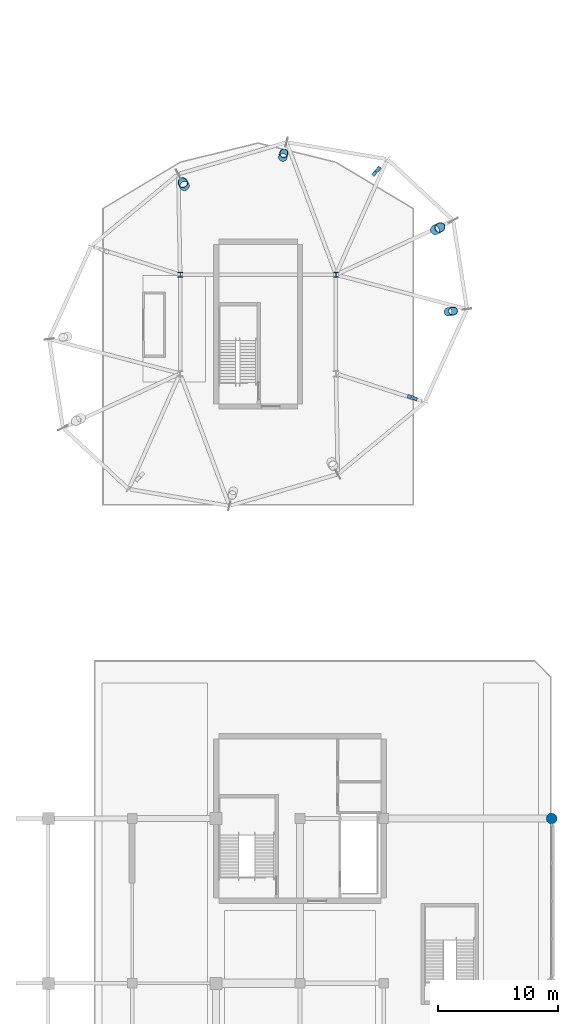
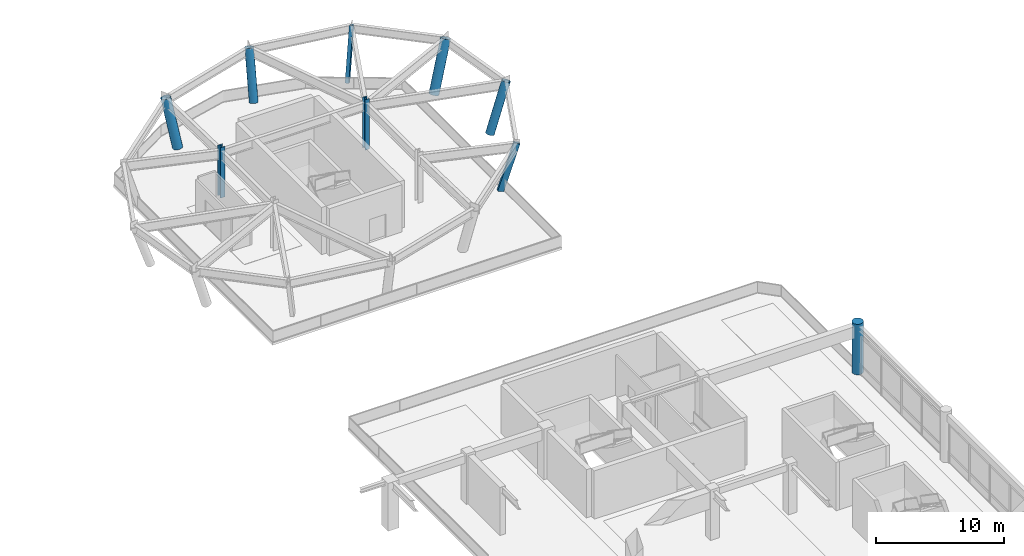
# One storey, part 18 of 91: 9 columns.
"""IFC4 building model written with IfcOpenShell, lengths in metres."""

import ifcopenshell
import ifcopenshell.guid

model = None  # the IFC model being written
_history = None  # IfcOwnerHistory: only IFC2X3 demands one
_inside = {}  # id of a spatial element -> (the spatial element, [elements in it])
_under = {}  # id of a project, library or spatial element -> (it, [spatial elements below it])
_declared = {}  # id of a project -> (the project, [libraries it declares])
_typed = {}  # id of a type object -> (the type object, [elements of that type])
_made_of = {}  # id of a material, layer set ... -> (it, [elements and type objects made of it])


def new_model(schema):
    """Start an empty IFC model of exactly this schema.

    Asked for "IFC4X3", IfcOpenShell would pick the latest addendum, in which some entities
    have other attributes; the version numbers below select the first issue.
    IFC2X3 requires an IfcOwnerHistory on every rooted entity: one is made here for all.
    """
    global model, _history
    if schema == "IFC4X3":
        model = ifcopenshell.file(schema_version=(4, 3, 0, 0))
    else:
        model = ifcopenshell.file(schema=schema)
    _inside.clear()
    _under.clear()
    _declared.clear()
    _typed.clear()
    _made_of.clear()
    _history = None
    if model.schema == "IFC2X3":
        org = make("IfcOrganization", Name="unknown")
        user = make(
            "IfcPersonAndOrganization",
            ThePerson=make("IfcPerson", FamilyName="unknown"),
            TheOrganization=org,
        )
        app = make(
            "IfcApplication",
            ApplicationDeveloper=org,
            Version="unknown",
            ApplicationFullName="unknown",
            ApplicationIdentifier="unknown",
        )
        _history = make(
            "IfcOwnerHistory",
            OwningUser=user,
            OwningApplication=app,
            ChangeAction="ADDED",
            CreationDate=0,
        )
    return model


def make(cls, **values):
    """One entity of the class cls with the attributes given. An attribute that is None is left unset."""
    return model.create_entity(
        cls, **{name: value for name, value in values.items() if value is not None}
    )


def rooted(cls, **values):
    """An entity with a GlobalId (a new one), such as an element, a storey or a relation."""
    return make(cls, GlobalId=ifcopenshell.guid.new(), OwnerHistory=_history, **values)


def si_unit(unit_type, name, prefix=None):
    """IfcSIUnit, for example si_unit("LENGTHUNIT", "METRE", prefix="MILLI")."""
    return make("IfcSIUnit", UnitType=unit_type, Prefix=prefix, Name=name)


def assignment(units):
    """IfcUnitAssignment: the units of a project."""
    return None if units is None else make("IfcUnitAssignment", Units=units)


def point(xyz):
    """IfcCartesianPoint."""
    return None if xyz is None else make("IfcCartesianPoint", Coordinates=xyz)


def direction(xyz):
    """IfcDirection."""
    return None if xyz is None else make("IfcDirection", DirectionRatios=xyz)


def frame(location, z_axis=None, x_axis=None):
    """IfcAxis2Placement3D, a coordinate frame: its origin and axes. An axis left out is left unset."""
    return make(
        "IfcAxis2Placement3D",
        Location=point(location),
        Axis=direction(z_axis),
        RefDirection=direction(x_axis),
    )


def frame_2d(location, x_axis=None):
    """IfcAxis2Placement2D, a coordinate frame in the plane: its origin and x axis."""
    return make(
        "IfcAxis2Placement2D", Location=point(location), RefDirection=direction(x_axis)
    )


def origin():
    """The frame at (0, 0, 0) with its axes left unset."""
    return frame((0.0, 0.0, 0.0))


def origin_2d():
    """The frame at (0, 0) in the plane with its x axis left unset."""
    return frame_2d((0.0, 0.0))


def place(relative_to, where):
    """IfcLocalPlacement: puts the frame where relative to a parent placement (None: the world)."""
    return make(
        "IfcLocalPlacement", PlacementRelTo=relative_to, RelativePlacement=where
    )


def context(
    kind, dimensions, precision=None, world=None, true_north=None, identifier=None
):
    """IfcGeometricRepresentationContext, for example the 3D "Model" context."""
    return make(
        "IfcGeometricRepresentationContext",
        ContextIdentifier=identifier,
        ContextType=kind,
        CoordinateSpaceDimension=dimensions,
        Precision=precision,
        WorldCoordinateSystem=world,
        TrueNorth=true_north,
    )


def subcontext(parent, identifier, kind, view, scale=None):
    """IfcGeometricRepresentationSubContext, for example "Body" below "Model"."""
    return make(
        "IfcGeometricRepresentationSubContext",
        ContextIdentifier=identifier,
        ContextType=kind,
        ParentContext=parent,
        TargetScale=scale,
        TargetView=view,
    )


def project(units=None, contexts=None):
    """IfcProject with its units and contexts."""
    return rooted(
        "IfcProject",
        Name="project",
        RepresentationContexts=contexts,
        UnitsInContext=assignment(units),
    )


def spatial(cls, under=None, at=None, **own):
    """A site, building, storey or space (cls), placed at a placement, below another one or the project."""
    s = rooted(cls, ObjectPlacement=at, **own)
    if under is not None:
        _under.setdefault(under.id(), (under, []))[1].append(s)
    return s


def profile(cls, at=None, kind="AREA", **sizes):
    """A parametric profile (cls). Its sizes go by their IFC names, for example OverallWidth=200.0."""
    return make(cls, ProfileType=kind, Position=at, **sizes)


def hollow_rectangle(**sizes):
    """IfcRectangleHollowProfileDef."""
    return profile("IfcRectangleHollowProfileDef", **sizes)


def circle(**sizes):
    """IfcCircleProfileDef."""
    return profile("IfcCircleProfileDef", **sizes)


def hollow_circle(**sizes):
    """IfcCircleHollowProfileDef."""
    return profile("IfcCircleHollowProfileDef", **sizes)


def i_section(**sizes):
    """IfcIShapeProfileDef."""
    return profile("IfcIShapeProfileDef", **sizes)


def extrude(swept, where, along, depth):
    """IfcExtrudedAreaSolid: the profile swept, set in the frame where, extruded along a direction by depth."""
    return make(
        "IfcExtrudedAreaSolid",
        SweptArea=swept,
        Position=where,
        ExtrudedDirection=direction(along),
        Depth=depth,
    )


def shape(context_of_items, identifier, shape_type, items):
    """IfcShapeRepresentation: the items that make up one representation, for example the "Body"."""
    return make(
        "IfcShapeRepresentation",
        ContextOfItems=context_of_items,
        RepresentationIdentifier=identifier,
        RepresentationType=shape_type,
        Items=items,
    )


def material(Name=None, Category=None):
    """IfcMaterial."""
    return make("IfcMaterial", Name=Name, Category=Category)


def material_profile(
    of_material, cross_section, Name=None, Category=None, Priority=None
):
    """IfcMaterialProfile: a cross section and its material."""
    return make(
        "IfcMaterialProfile",
        Name=Name,
        Material=of_material,
        Profile=cross_section,
        Priority=Priority,
        Category=Category,
    )


def profile_set(profiles, Name=None, composite=None):
    """IfcMaterialProfileSet."""
    return make(
        "IfcMaterialProfileSet",
        Name=Name,
        MaterialProfiles=profiles,
        CompositeProfile=composite,
    )


def made_of(thing, what):
    """Note that an element or type object is made of a material, layer set ...; save() writes the relation."""
    if what is not None:
        _made_of.setdefault(what.id(), (what, []))[1].append(thing)
    return thing


def type_object(cls, material=None, **own):
    """A type object (cls), such as IfcWallType, which elements share."""
    return made_of(rooted(cls, **own), material)


def element(
    cls,
    number,
    at=None,
    inside=None,
    cuts=None,
    type_object=None,
    material=None,
    context=None,
    identifier="Body",
    shape_type=None,
    held_by="IfcProductDefinitionShape",
    body=None,
    shapes=None,
    **own,
):
    """One element of the class cls, such as IfcWall. Its Tag is "e" and its number.

    at: its placement. inside: the storey or other place that contains it. cuts: it is an
    opening in that element (IfcRelVoidsElement). A single representation is given by context,
    identifier, shape_type and body (its items); several are given by shapes. held_by: the class
    of the entity that holds the representations. save() writes the other relations.
    """
    e = rooted(cls, Tag="e%d" % number, ObjectPlacement=at, **own)
    if body is not None:
        shapes = [shape(context, identifier, shape_type, body)]
    if shapes is not None:
        e.Representation = make(held_by, Representations=shapes)
    if inside is not None:
        _inside.setdefault(inside.id(), (inside, []))[1].append(e)
    if cuts is not None:
        rooted(
            "IfcRelVoidsElement", RelatingBuildingElement=cuts, RelatedOpeningElement=e
        )
    if type_object is not None:
        _typed.setdefault(type_object.id(), (type_object, []))[1].append(e)
    return made_of(e, material)


def aggregate(whole, parts):
    """IfcRelAggregates: a whole, such as a stair, and the parts it consists of."""
    return rooted("IfcRelAggregates", RelatingObject=whole, RelatedObjects=parts)


def save(model, path):
    """Write the relations noted so far, then the file.

    IfcRelAggregates (storeys below a building ...), IfcRelContainedInSpatialStructure (elements
    in a storey), IfcRelDefinesByType, IfcRelAssociatesMaterial and IfcRelDeclares: one each for
    every whole, place, type object, material and project.
    """
    for whole, parts in _under.values():
        aggregate(whole, parts)
    for where, things in _inside.values():
        rooted(
            "IfcRelContainedInSpatialStructure",
            RelatedElements=things,
            RelatingStructure=where,
        )
    for kind, things in _typed.values():
        rooted("IfcRelDefinesByType", RelatedObjects=things, RelatingType=kind)
    for what, things in _made_of.values():
        rooted("IfcRelAssociatesMaterial", RelatedObjects=things, RelatingMaterial=what)
    for by, libraries in _declared.values():
        rooted("IfcRelDeclares", RelatingContext=by, RelatedDefinitions=libraries)
    model.write(path)


model = new_model("IFC4")

# Units and contexts
model_context = context("Model", 3, precision=1e-05, world=origin(), true_north=direction((0.0, 1.0)))
body_context = subcontext(model_context, "Body", "Model", "MODEL_VIEW")
ifc_project = project(units=[si_unit("LENGTHUNIT", "METRE"), si_unit("AREAUNIT", "SQUARE_METRE"), si_unit("VOLUMEUNIT", "CUBIC_METRE"), si_unit("PLANEANGLEUNIT", "RADIAN"), si_unit("MASSUNIT", "GRAM", prefix="KILO")], contexts=[model_context])

# Site, building, storey
site_placement = place(None, origin())
site = spatial("IfcSite", under=ifc_project, at=site_placement, CompositionType="ELEMENT")
building_placement = place(site_placement, origin())
building = spatial("IfcBuilding", under=site, at=building_placement, Name="Linyun Crest Stadium", CompositionType="ELEMENT")
storey_placement = place(building_placement, frame((0.0, 0.0, 11.39990234375)))
storey = spatial("IfcBuildingStorey", under=building, at=storey_placement, Name="L03", CompositionType="ELEMENT", Elevation=11.39990234375)

# Columns
ifc_material_1 = material(Name="Concrete C50", Category="concrete")
ifc_material_profile_1 = material_profile(ifc_material_1, circle(Radius=0.449951171875, at=origin_2d()), Name="RC D900")
ifc_profile_set_1 = profile_set([ifc_material_profile_1], Name="Concrete C50")
column_type_1 = type_object("IfcColumnType", Name="C08", PredefinedType="COLUMN", material=ifc_profile_set_1)
column_1_placement = place(storey_placement, frame((98.0, 43.375, 0.0), z_axis=(0.0, 0.0, 1.0), x_axis=(1.0, 0.0, 0.0)))
element("IfcColumn", 1, at=column_1_placement, inside=storey, type_object=column_type_1, Name="Column C08 L03 567", PredefinedType="COLUMN", context=body_context, shape_type="SweptSolid", body=[
    extrude(circle(Radius=0.449951171875, at=origin_2d()), origin(), (0.0, 0.0, 1.0), 4.798095703125),
])
ifc_material_2 = material(Name="Steel Q355C", Category="steel")
ifc_material_profile_2 = material_profile(ifc_material_2, i_section(OverallWidth=0.406982421875, OverallDepth=0.427978515625, WebThickness=0.02001953125, FlangeThickness=0.034912109375, at=origin_2d()), Name="HW 428x407")
ifc_profile_set_2 = profile_set([ifc_material_profile_2], Name="Steel Q355C")
column_type_2 = type_object("IfcColumnType", Name="SC03", PredefinedType="COLUMN", material=ifc_profile_set_2)
for number, where, z_axis, x_axis, name in (
    (2, (67.0, 88.75, 0.0), (0.0, 0.0, 1.0), (1.0, 0.0, 0.0), "Column SC03 L03 839"),
    (3, (80.0, 88.75, 0.0), (0.0, 0.0, 1.0), (1.0, 0.0, 0.0), "Column SC03 L03 846"),
):
    element("IfcColumn", number, at=place(storey_placement, frame(where, z_axis=z_axis, x_axis=x_axis)), inside=storey, type_object=column_type_2, Name=name, PredefinedType="COLUMN", context=body_context, shape_type="SweptSolid", body=[
        extrude(i_section(OverallWidth=0.406982421875, OverallDepth=0.427978515625, WebThickness=0.02001953125, FlangeThickness=0.034912109375, at=origin_2d()), origin(), (0.0, 0.0, 1.0), 4.798095703125),
    ])
ifc_material_3 = material(Name="Steel Q420C", Category="steel")
ifc_material_profile_3 = material_profile(ifc_material_3, hollow_circle(Radius=0.35546875, WallThickness=0.031982421875, at=origin_2d()), Name="CHS 711x32")
ifc_profile_set_3 = profile_set([ifc_material_profile_3], Name="Steel Q420C")
column_type_3 = type_object("IfcColumnType", Name="VL01", PredefinedType="PILASTER", material=ifc_profile_set_3)
column_2_placement = place(storey_placement, frame((75.568115234375, 98.5458984375, 0.002197265625), z_axis=(0.069723083937, 0.274179869243, 0.959147585551), x_axis=(-0.969154739028, 0.246453021526, 0.0)))
element("IfcColumn", 4, at=column_2_placement, inside=storey, type_object=column_type_3, Name="Inclined V-leg pier VL01 45", PredefinedType="PILASTER", context=body_context, shape_type="SweptSolid", body=[
    extrude(hollow_circle(Radius=0.35546875, WallThickness=0.031982421875, at=origin_2d()), origin(), (0.0, 0.0, 1.0), 4.55908203125),
])
column_3_placement = place(storey_placement, frame((89.35595703125, 85.654052734375, 0.002197265625), z_axis=(0.340349167109, 0.047048267218, 0.939121347324), x_axis=(-0.136933157693, 0.990580289691, 0.0)))
element("IfcColumn", 5, at=column_3_placement, inside=storey, type_object=column_type_3, Name="Inclined V-leg pier VL01 72", PredefinedType="PILASTER", context=body_context, shape_type="SweptSolid", body=[
    extrude(hollow_circle(Radius=0.35546875, WallThickness=0.031982421875, at=origin_2d()), origin(), (0.0, 0.0, 1.0), 4.634033203125),
])
ifc_material_4 = material(Name="Steel Q420C", Category="steel")
ifc_material_profile_4 = material_profile(ifc_material_4, hollow_circle(Radius=0.406494140625, WallThickness=0.035888671875, at=origin_2d()), Name="CHS 813x36")
ifc_profile_set_4 = profile_set([ifc_material_profile_4], Name="Steel Q420C")
column_type_4 = type_object("IfcColumnType", Name="VL02", PredefinedType="PILASTER", material=ifc_profile_set_4)
column_4_placement = place(storey_placement, frame((88.26611328125, 92.47607421875, 0.002197265625), z_axis=(0.325654823797, 0.173035286714, 0.929520158625), x_axis=(-0.469221126484, 0.883080706652, 0.0)))
element("IfcColumn", 6, at=column_4_placement, inside=storey, type_object=column_type_4, Name="Inclined V-leg pier VL02 39", PredefinedType="PILASTER", context=body_context, shape_type="SweptSolid", body=[
    extrude(hollow_circle(Radius=0.406494140625, WallThickness=0.035888671875, at=origin_2d()), origin(), (0.0, 0.0, 1.0), 4.65185546875),
])
column_5_placement = place(storey_placement, frame((67.363037109375, 96.1669921875, 0.002197265625), z_axis=(-0.114613385113, 0.215644164152, 0.969722314078), x_axis=(-0.883026764755, -0.469322631807, 0.0)))
element("IfcColumn", 7, at=column_5_placement, inside=storey, type_object=column_type_4, Name="Inclined V-leg pier VL02 48", PredefinedType="PILASTER", context=body_context, shape_type="SweptSolid", body=[
    extrude(hollow_circle(Radius=0.406494140625, WallThickness=0.035888671875, at=origin_2d()), origin(), (0.0, 0.0, 1.0), 4.51171875),
])
ifc_material_5 = material(Name="Steel Q420C", Category="steel")
ifc_material_profile_5 = material_profile(ifc_material_5, hollow_rectangle(XDim=0.300048828125, YDim=0.5, WallThickness=0.02001953125, at=origin_2d()), Name="RHS 500x300x20")
ifc_profile_set_5 = profile_set([ifc_material_profile_5], Name="Steel Q420C")
column_type_5 = type_object("IfcColumnType", Name="VL03", PredefinedType="PILASTER", material=ifc_profile_set_5)
column_6_placement = place(storey_placement, frame((83.218994140625, 97.196044921875, 0.002197265625), z_axis=(0.229436435248, 0.255771202583, 0.939116613691), x_axis=(-0.744389574393, 0.667745581442, 0.0)))
element("IfcColumn", 8, at=column_6_placement, inside=storey, type_object=column_type_5, Name="Inclined V-leg pier VL03 42", PredefinedType="PILASTER", context=body_context, shape_type="SweptSolid", body=[
    extrude(hollow_rectangle(XDim=0.300048828125, YDim=0.5, WallThickness=0.02001953125, at=origin_2d()), origin(), (0.0, 0.0, 1.0), 4.67236328125),
])
column_7_placement = place(storey_placement, frame((86.197998046875, 78.554931640625, 0.002197265625), z_axis=(0.26620321345, -0.095418294691, 0.959182567704), x_axis=(0.337420415701, 0.941354058295, 0.0)))
element("IfcColumn", 9, at=column_7_placement, inside=storey, type_object=column_type_5, Name="Inclined V-leg pier VL03 69", PredefinedType="PILASTER", context=body_context, shape_type="SweptSolid", body=[
    extrude(hollow_rectangle(XDim=0.300048828125, YDim=0.5, WallThickness=0.02001953125, at=origin_2d()), origin(), (0.0, 0.0, 1.0), 4.590087890625),
])

save(model, "model.ifc")
